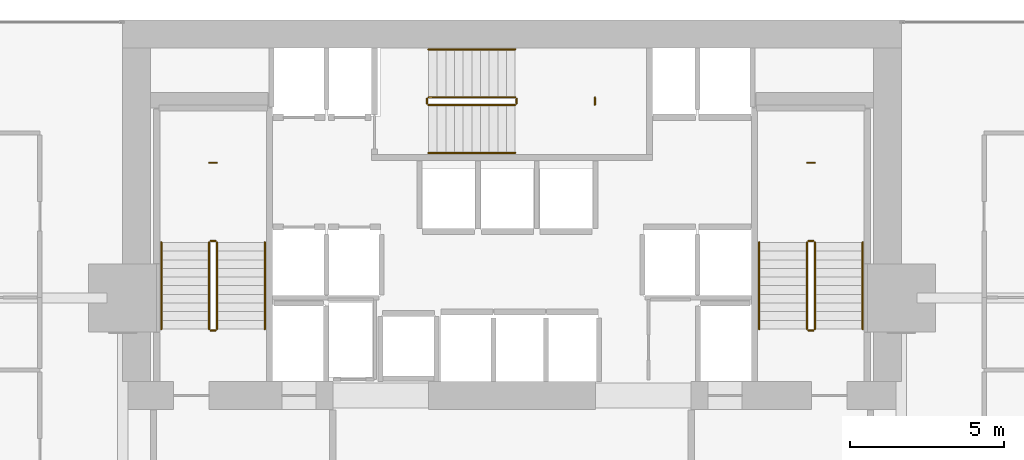
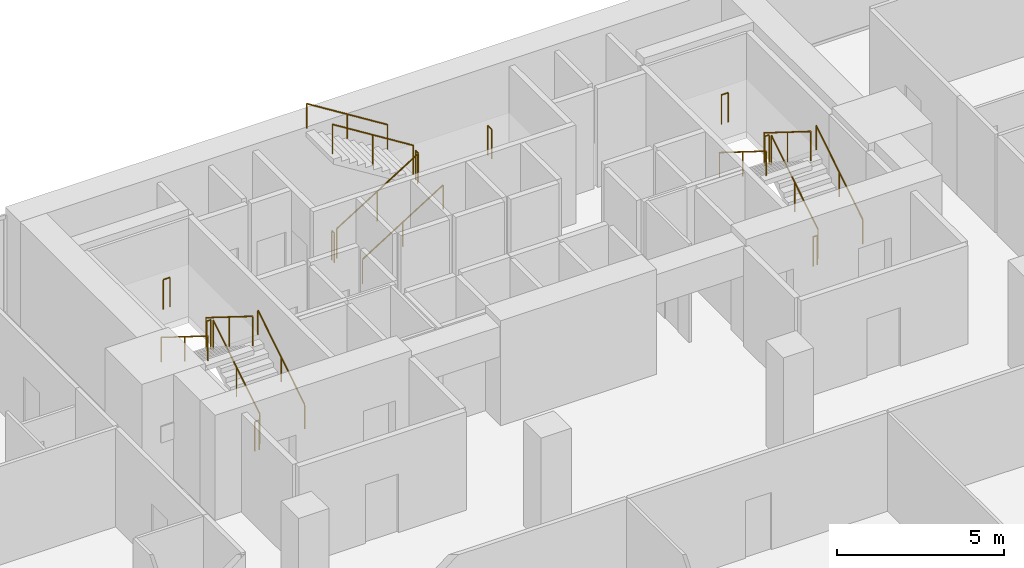
# One storey, part 40 of 40: 21 railings.
"""IFC4 building model written with IfcOpenShell, lengths in metres."""

from ifc_helpers import new_model, si_unit, direction, frame, origin, origin_2d, place, context, subcontext, project, spatial, circle, extrude, material, type_object, element, save


model = new_model("IFC4")

# Units and contexts
model_context = context("Model", 3, precision=1e-05, world=origin(), true_north=direction((0.0, 1.0)))
body_context = subcontext(model_context, "Body", "Model", "MODEL_VIEW")
ifc_project = project(units=[si_unit("LENGTHUNIT", "METRE"), si_unit("AREAUNIT", "SQUARE_METRE"), si_unit("VOLUMEUNIT", "CUBIC_METRE"), si_unit("PLANEANGLEUNIT", "RADIAN"), si_unit("MASSUNIT", "GRAM", prefix="KILO")], contexts=[model_context])

# Site, building, storey
site_placement = place(None, origin())
site = spatial("IfcSite", under=ifc_project, at=site_placement, CompositionType="ELEMENT")
building_placement = place(site_placement, origin())
building = spatial("IfcBuilding", under=site, at=building_placement, Name="Maruvema Waterfront Hotel and Observation Tower", CompositionType="ELEMENT")
storey_placement = place(building_placement, frame((0.0, 0.0, 34.64990234375)))
storey = spatial("IfcBuildingStorey", under=building, at=storey_placement, Name="L07", CompositionType="ELEMENT", Elevation=34.64990234375)

# Railings
ifc_material_1 = material(Name="Brushed stainless steel Grade 316", Category="steel")
railing_type_1 = type_object("IfcRailingType", Name="Ramp Continuous Wall Handrail 920 mm", PredefinedType="HANDRAIL", material=ifc_material_1)
railing_1_placement = place(storey_placement, frame((29.800048828125, 44.0, 0.175048828125)))
element("IfcRailing", 1, at=railing_1_placement, inside=storey, type_object=railing_type_1, Name="L07 ST-01 stair handrail 1", PredefinedType="HANDRAIL", context=body_context, shape_type="SweptSolid", body=[
    extrude(circle(Radius=0.02392578125, at=origin_2d()), frame((0.0, 0.0, 0.89599609375), z_axis=(0.0, 0.848002457836, 0.529992293815), x_axis=(-1.0, 0.0, 0.0)), (0.0, 0.0, 1.0), 3.302001953125),
    extrude(circle(Radius=0.02099609375, at=origin_2d()), origin(), (0.0, 0.0, 1.0), 0.871826171875),
    extrude(circle(Radius=0.02099609375, at=origin_2d()), frame((0.0, 1.39990234375, 0.875)), (0.0, 0.0, 1.0), 0.871826171875),
    extrude(circle(Radius=0.02099609375, at=origin_2d()), frame((0.0, 2.800048828125, 1.75)), (0.0, 0.0, 1.0), 0.871826171875),
])
railing_2_placement = place(storey_placement, frame((26.449951171875, 46.800048828125, 2.10009765625)))
element("IfcRailing", 2, at=railing_2_placement, inside=storey, type_object=railing_type_1, Name="L07 ST-01 stair handrail 2", PredefinedType="HANDRAIL", context=body_context, shape_type="SweptSolid", body=[
    extrude(circle(Radius=0.02392578125, at=origin_2d()), frame((0.0, 0.0, 0.89599609375), z_axis=(0.0, -0.848002457836, 0.529992293815), x_axis=(1.0, 0.0, 0.0)), (0.0, 0.0, 1.0), 3.302001953125),
    extrude(circle(Radius=0.02099609375, at=origin_2d()), origin(), (0.0, 0.0, 1.0), 0.871826171875),
    extrude(circle(Radius=0.02099609375, at=origin_2d()), frame((0.0, -1.39990234375, 0.875)), (0.0, 0.0, 1.0), 0.871826171875),
    extrude(circle(Radius=0.02099609375, at=origin_2d()), frame((0.0, -2.800048828125, 1.75)), (0.0, 0.0, 1.0), 0.871826171875),
])
railing_3_placement = place(storey_placement, frame((35.10009765625, 49.699951171875, 0.175048828125)))
element("IfcRailing", 3, at=railing_3_placement, inside=storey, type_object=railing_type_1, Name="L07 ST-02 stair handrail 1", PredefinedType="HANDRAIL", context=body_context, shape_type="SweptSolid", body=[
    extrude(circle(Radius=0.02392578125, at=origin_2d()), frame((0.0, 0.0, 0.89599609375), z_axis=(0.847981687118, 0.0, 0.530025526095), x_axis=(0.0, 1.0, 0.0)), (0.0, 0.0, 1.0), 3.3017578125),
    extrude(circle(Radius=0.02099609375, at=origin_2d()), origin(), (0.0, 0.0, 1.0), 0.871826171875),
    extrude(circle(Radius=0.02099609375, at=origin_2d()), frame((1.39990234375, 0.0, 0.875)), (0.0, 0.0, 1.0), 0.871826171875),
    extrude(circle(Radius=0.02099609375, at=origin_2d()), frame((2.7998046875, 0.0, 1.75)), (0.0, 0.0, 1.0), 0.871826171875),
])
railing_4_placement = place(storey_placement, frame((37.89990234375, 53.050048828125, 2.10009765625)))
element("IfcRailing", 4, at=railing_4_placement, inside=storey, type_object=railing_type_1, Name="L07 ST-02 stair handrail 2", PredefinedType="HANDRAIL", context=body_context, shape_type="SweptSolid", body=[
    extrude(circle(Radius=0.02392578125, at=origin_2d()), frame((0.0, 0.0, 0.89599609375), z_axis=(-0.847981687118, 0.0, 0.530025526095), x_axis=(0.0, -1.0, 0.0)), (0.0, 0.0, 1.0), 3.3017578125),
    extrude(circle(Radius=0.02099609375, at=origin_2d()), origin(), (0.0, 0.0, 1.0), 0.871826171875),
    extrude(circle(Radius=0.02099609375, at=origin_2d()), frame((-1.39990234375, 0.0, 0.875)), (0.0, 0.0, 1.0), 0.871826171875),
    extrude(circle(Radius=0.02099609375, at=origin_2d()), frame((-2.7998046875, 0.0, 1.75)), (0.0, 0.0, 1.0), 0.871826171875),
])
railing_5_placement = place(storey_placement, frame((49.14990234375, 44.0, 0.175048828125)))
element("IfcRailing", 5, at=railing_5_placement, inside=storey, type_object=railing_type_1, Name="L07 ST-03 stair handrail 1", PredefinedType="HANDRAIL", context=body_context, shape_type="SweptSolid", body=[
    extrude(circle(Radius=0.02392578125, at=origin_2d()), frame((0.0, 0.0, 0.89599609375), z_axis=(0.0, 0.848002457836, 0.529992293815), x_axis=(-1.0, 0.0, 0.0)), (0.0, 0.0, 1.0), 3.302001953125),
    extrude(circle(Radius=0.02099609375, at=origin_2d()), origin(), (0.0, 0.0, 1.0), 0.871826171875),
    extrude(circle(Radius=0.02099609375, at=origin_2d()), frame((0.0, 1.39990234375, 0.875)), (0.0, 0.0, 1.0), 0.871826171875),
    extrude(circle(Radius=0.02099609375, at=origin_2d()), frame((0.0, 2.800048828125, 1.75)), (0.0, 0.0, 1.0), 0.871826171875),
])
railing_6_placement = place(storey_placement, frame((45.800048828125, 46.800048828125, 2.10009765625)))
element("IfcRailing", 6, at=railing_6_placement, inside=storey, type_object=railing_type_1, Name="L07 ST-03 stair handrail 2", PredefinedType="HANDRAIL", context=body_context, shape_type="SweptSolid", body=[
    extrude(circle(Radius=0.02392578125, at=origin_2d()), frame((0.0, 0.0, 0.89599609375), z_axis=(0.0, -0.848002457836, 0.529992293815), x_axis=(1.0, 0.0, 0.0)), (0.0, 0.0, 1.0), 3.302001953125),
    extrude(circle(Radius=0.02099609375, at=origin_2d()), origin(), (0.0, 0.0, 1.0), 0.871826171875),
    extrude(circle(Radius=0.02099609375, at=origin_2d()), frame((0.0, -1.39990234375, 0.875)), (0.0, 0.0, 1.0), 0.871826171875),
    extrude(circle(Radius=0.02099609375, at=origin_2d()), frame((0.0, -2.800048828125, 1.75)), (0.0, 0.0, 1.0), 0.871826171875),
])
ifc_material_2 = material(Name="Brushed stainless steel Grade 316", Category="steel")
railing_type_2 = type_object("IfcRailingType", Name="Ramp and Terrace Guard Balustrade 1100 mm", PredefinedType="BALUSTRADE", material=ifc_material_2)
railing_7_placement = place(storey_placement, frame((28.25, 44.0, 0.175048828125)))
element("IfcRailing", 7, at=railing_7_placement, inside=storey, type_object=railing_type_2, Name="L07 ST-01 stair guard 1", PredefinedType="BALUSTRADE", context=body_context, shape_type="SweptSolid", body=[
    extrude(circle(Radius=0.02392578125, at=origin_2d()), frame((0.0, 0.0, 1.076171875), z_axis=(0.0, 0.848002457836, 0.529992293815), x_axis=(-1.0, 0.0, 0.0)), (0.0, 0.0, 1.0), 3.302001953125),
    extrude(circle(Radius=0.02099609375, at=origin_2d()), origin(), (0.0, 0.0, 1.0), 1.052001953125),
    extrude(circle(Radius=0.02099609375, at=origin_2d()), frame((0.0, 1.39990234375, 0.875)), (0.0, 0.0, 1.0), 1.052001953125),
    extrude(circle(Radius=0.02099609375, at=origin_2d()), frame((0.0, 2.800048828125, 1.75)), (0.0, 0.0, 1.0), 1.052001953125),
])
railing_8_placement = place(storey_placement, frame((28.199951171875, 46.85009765625, 1.925048828125)))
element("IfcRailing", 8, at=railing_8_placement, inside=storey, type_object=railing_type_2, Name="L07 ST-01 stair guard 2", PredefinedType="BALUSTRADE", context=body_context, shape_type="SweptSolid", body=[
    extrude(circle(Radius=0.02392578125, at=origin_2d()), frame((0.0, 0.0, 1.076171875), z_axis=(-1.0, 0.0, 0.0), x_axis=(0.0, -1.0, 0.0)), (0.0, 0.0, 1.0), 0.14990234375),
    extrude(circle(Radius=0.02099609375, at=origin_2d()), origin(), (0.0, 0.0, 1.0), 1.052001953125),
    extrude(circle(Radius=0.02099609375, at=origin_2d()), frame((-0.14990234375, 0.0, 0.0)), (0.0, 0.0, 1.0), 1.052001953125),
])
railing_9_placement = place(storey_placement, frame((28.0, 46.800048828125, 2.10009765625)))
element("IfcRailing", 9, at=railing_9_placement, inside=storey, type_object=railing_type_2, Name="L07 ST-01 stair guard 3", PredefinedType="BALUSTRADE", context=body_context, shape_type="SweptSolid", body=[
    extrude(circle(Radius=0.02392578125, at=origin_2d()), frame((0.0, 0.0, 1.076171875), z_axis=(0.0, -0.848002457836, 0.529992293815), x_axis=(1.0, 0.0, 0.0)), (0.0, 0.0, 1.0), 3.302001953125),
    extrude(circle(Radius=0.02099609375, at=origin_2d()), origin(), (0.0, 0.0, 1.0), 1.052001953125),
    extrude(circle(Radius=0.02099609375, at=origin_2d()), frame((0.0, -1.39990234375, 0.875)), (0.0, 0.0, 1.0), 1.052001953125),
    extrude(circle(Radius=0.02099609375, at=origin_2d()), frame((0.0, -2.800048828125, 1.75)), (0.0, 0.0, 1.0), 1.052001953125),
])
railing_10_placement = place(storey_placement, frame((28.199951171875, 43.949951171875, 0.0)))
element("IfcRailing", 10, at=railing_10_placement, inside=storey, type_object=railing_type_2, Name="L07 ST-01 stair guard 4", PredefinedType="BALUSTRADE", context=body_context, shape_type="SweptSolid", body=[
    extrude(circle(Radius=0.02392578125, at=origin_2d()), frame((0.0, 0.0, 1.076171875), z_axis=(-1.0, 0.0, 0.0), x_axis=(0.0, -1.0, 0.0)), (0.0, 0.0, 1.0), 0.14990234375),
    extrude(circle(Radius=0.02099609375, at=origin_2d()), origin(), (0.0, 0.0, 1.0), 1.052001953125),
    extrude(circle(Radius=0.02099609375, at=origin_2d()), frame((-0.14990234375, 0.0, 0.0)), (0.0, 0.0, 1.0), 1.052001953125),
])
railing_11_placement = place(storey_placement, frame((28.239990234375, 49.3798828125, 1.925048828125)))
element("IfcRailing", 11, at=railing_11_placement, inside=storey, type_object=railing_type_2, Name="L07 ST-01 Half-Landing Slot Guard", PredefinedType="BALUSTRADE", context=body_context, shape_type="SweptSolid", body=[
    extrude(circle(Radius=0.02392578125, at=origin_2d()), frame((0.0, 0.0, 1.076171875), z_axis=(-1.0, 0.0, 0.0), x_axis=(0.0, -1.0, 0.0)), (0.0, 0.0, 1.0), 0.22998046875),
    extrude(circle(Radius=0.02099609375, at=origin_2d()), origin(), (0.0, 0.0, 1.0), 1.052001953125),
    extrude(circle(Radius=0.02099609375, at=origin_2d()), frame((-0.22998046875, 0.0, 0.0)), (0.0, 0.0, 1.0), 1.052001953125),
])
railing_12_placement = place(storey_placement, frame((35.10009765625, 51.25, 0.175048828125)))
element("IfcRailing", 12, at=railing_12_placement, inside=storey, type_object=railing_type_2, Name="L07 ST-02 stair guard 1", PredefinedType="BALUSTRADE", context=body_context, shape_type="SweptSolid", body=[
    extrude(circle(Radius=0.02392578125, at=origin_2d()), frame((0.0, 0.0, 1.076171875), z_axis=(0.847981687118, 0.0, 0.530025526095), x_axis=(0.0, 1.0, 0.0)), (0.0, 0.0, 1.0), 3.3017578125),
    extrude(circle(Radius=0.02099609375, at=origin_2d()), origin(), (0.0, 0.0, 1.0), 1.052001953125),
    extrude(circle(Radius=0.02099609375, at=origin_2d()), frame((1.39990234375, 0.0, 0.875)), (0.0, 0.0, 1.0), 1.052001953125),
    extrude(circle(Radius=0.02099609375, at=origin_2d()), frame((2.7998046875, 0.0, 1.75)), (0.0, 0.0, 1.0), 1.052001953125),
])
railing_13_placement = place(storey_placement, frame((37.949951171875, 51.300048828125, 1.925048828125)))
element("IfcRailing", 13, at=railing_13_placement, inside=storey, type_object=railing_type_2, Name="L07 ST-02 stair guard 2", PredefinedType="BALUSTRADE", context=body_context, shape_type="SweptSolid", body=[
    extrude(circle(Radius=0.02392578125, at=origin_2d()), frame((0.0, 0.0, 1.076171875), z_axis=(0.0, 1.0, 0.0), x_axis=(-1.0, 0.0, 0.0)), (0.0, 0.0, 1.0), 0.14990234375),
    extrude(circle(Radius=0.02099609375, at=origin_2d()), origin(), (0.0, 0.0, 1.0), 1.052001953125),
    extrude(circle(Radius=0.02099609375, at=origin_2d()), frame((0.0, 0.14990234375, 0.0)), (0.0, 0.0, 1.0), 1.052001953125),
])
railing_14_placement = place(storey_placement, frame((37.89990234375, 51.5, 2.10009765625)))
element("IfcRailing", 14, at=railing_14_placement, inside=storey, type_object=railing_type_2, Name="L07 ST-02 stair guard 3", PredefinedType="BALUSTRADE", context=body_context, shape_type="SweptSolid", body=[
    extrude(circle(Radius=0.02392578125, at=origin_2d()), frame((0.0, 0.0, 1.076171875), z_axis=(-0.847981687118, 0.0, 0.530025526095), x_axis=(0.0, -1.0, 0.0)), (0.0, 0.0, 1.0), 3.3017578125),
    extrude(circle(Radius=0.02099609375, at=origin_2d()), origin(), (0.0, 0.0, 1.0), 1.052001953125),
    extrude(circle(Radius=0.02099609375, at=origin_2d()), frame((-1.39990234375, 0.0, 0.875)), (0.0, 0.0, 1.0), 1.052001953125),
    extrude(circle(Radius=0.02099609375, at=origin_2d()), frame((-2.7998046875, 0.0, 1.75)), (0.0, 0.0, 1.0), 1.052001953125),
])
railing_15_placement = place(storey_placement, frame((35.050048828125, 51.300048828125, 0.0)))
element("IfcRailing", 15, at=railing_15_placement, inside=storey, type_object=railing_type_2, Name="L07 ST-02 stair guard 4", PredefinedType="BALUSTRADE", context=body_context, shape_type="SweptSolid", body=[
    extrude(circle(Radius=0.02392578125, at=origin_2d()), frame((0.0, 0.0, 1.076171875), z_axis=(0.0, 1.0, 0.0), x_axis=(-1.0, 0.0, 0.0)), (0.0, 0.0, 1.0), 0.14990234375),
    extrude(circle(Radius=0.02099609375, at=origin_2d()), origin(), (0.0, 0.0, 1.0), 1.052001953125),
    extrude(circle(Radius=0.02099609375, at=origin_2d()), frame((0.0, 0.14990234375, 0.0)), (0.0, 0.0, 1.0), 1.052001953125),
])
railing_16_placement = place(storey_placement, frame((40.47998046875, 51.260009765625, 1.925048828125)))
element("IfcRailing", 16, at=railing_16_placement, inside=storey, type_object=railing_type_2, Name="L07 ST-02 Half-Landing Slot Guard", PredefinedType="BALUSTRADE", context=body_context, shape_type="SweptSolid", body=[
    extrude(circle(Radius=0.02392578125, at=origin_2d()), frame((0.0, 0.0, 1.076171875), z_axis=(0.0, 1.0, 0.0), x_axis=(-1.0, 0.0, 0.0)), (0.0, 0.0, 1.0), 0.22998046875),
    extrude(circle(Radius=0.02099609375, at=origin_2d()), origin(), (0.0, 0.0, 1.0), 1.052001953125),
    extrude(circle(Radius=0.02099609375, at=origin_2d()), frame((0.0, 0.22998046875, 0.0)), (0.0, 0.0, 1.0), 1.052001953125),
])
railing_17_placement = place(storey_placement, frame((47.60009765625, 44.0, 0.175048828125)))
element("IfcRailing", 17, at=railing_17_placement, inside=storey, type_object=railing_type_2, Name="L07 ST-03 stair guard 1", PredefinedType="BALUSTRADE", context=body_context, shape_type="SweptSolid", body=[
    extrude(circle(Radius=0.02392578125, at=origin_2d()), frame((0.0, 0.0, 1.076171875), z_axis=(0.0, 0.848002457836, 0.529992293815), x_axis=(-1.0, 0.0, 0.0)), (0.0, 0.0, 1.0), 3.302001953125),
    extrude(circle(Radius=0.02099609375, at=origin_2d()), origin(), (0.0, 0.0, 1.0), 1.052001953125),
    extrude(circle(Radius=0.02099609375, at=origin_2d()), frame((0.0, 1.39990234375, 0.875)), (0.0, 0.0, 1.0), 1.052001953125),
    extrude(circle(Radius=0.02099609375, at=origin_2d()), frame((0.0, 2.800048828125, 1.75)), (0.0, 0.0, 1.0), 1.052001953125),
])
railing_18_placement = place(storey_placement, frame((47.550048828125, 46.85009765625, 1.925048828125)))
element("IfcRailing", 18, at=railing_18_placement, inside=storey, type_object=railing_type_2, Name="L07 ST-03 stair guard 2", PredefinedType="BALUSTRADE", context=body_context, shape_type="SweptSolid", body=[
    extrude(circle(Radius=0.02392578125, at=origin_2d()), frame((0.0, 0.0, 1.076171875), z_axis=(-1.0, 0.0, 0.0), x_axis=(0.0, -1.0, 0.0)), (0.0, 0.0, 1.0), 0.150146484375),
    extrude(circle(Radius=0.02099609375, at=origin_2d()), origin(), (0.0, 0.0, 1.0), 1.052001953125),
    extrude(circle(Radius=0.02099609375, at=origin_2d()), frame((-0.150146484375, 0.0, 0.0)), (0.0, 0.0, 1.0), 1.052001953125),
])
railing_19_placement = place(storey_placement, frame((47.35009765625, 46.800048828125, 2.10009765625)))
element("IfcRailing", 19, at=railing_19_placement, inside=storey, type_object=railing_type_2, Name="L07 ST-03 stair guard 3", PredefinedType="BALUSTRADE", context=body_context, shape_type="SweptSolid", body=[
    extrude(circle(Radius=0.02392578125, at=origin_2d()), frame((0.0, 0.0, 1.076171875), z_axis=(0.0, -0.848002457836, 0.529992293815), x_axis=(1.0, 0.0, 0.0)), (0.0, 0.0, 1.0), 3.302001953125),
    extrude(circle(Radius=0.02099609375, at=origin_2d()), origin(), (0.0, 0.0, 1.0), 1.052001953125),
    extrude(circle(Radius=0.02099609375, at=origin_2d()), frame((0.0, -1.39990234375, 0.875)), (0.0, 0.0, 1.0), 1.052001953125),
    extrude(circle(Radius=0.02099609375, at=origin_2d()), frame((0.0, -2.800048828125, 1.75)), (0.0, 0.0, 1.0), 1.052001953125),
])
railing_20_placement = place(storey_placement, frame((47.550048828125, 43.949951171875, 0.0)))
element("IfcRailing", 20, at=railing_20_placement, inside=storey, type_object=railing_type_2, Name="L07 ST-03 stair guard 4", PredefinedType="BALUSTRADE", context=body_context, shape_type="SweptSolid", body=[
    extrude(circle(Radius=0.02392578125, at=origin_2d()), frame((0.0, 0.0, 1.076171875), z_axis=(-1.0, 0.0, 0.0), x_axis=(0.0, -1.0, 0.0)), (0.0, 0.0, 1.0), 0.150146484375),
    extrude(circle(Radius=0.02099609375, at=origin_2d()), origin(), (0.0, 0.0, 1.0), 1.052001953125),
    extrude(circle(Radius=0.02099609375, at=origin_2d()), frame((-0.150146484375, 0.0, 0.0)), (0.0, 0.0, 1.0), 1.052001953125),
])
railing_21_placement = place(storey_placement, frame((47.590087890625, 49.3798828125, 1.925048828125)))
element("IfcRailing", 21, at=railing_21_placement, inside=storey, type_object=railing_type_2, Name="L07 ST-03 Half-Landing Slot Guard", PredefinedType="BALUSTRADE", context=body_context, shape_type="SweptSolid", body=[
    extrude(circle(Radius=0.02392578125, at=origin_2d()), frame((0.0, 0.0, 1.076171875), z_axis=(-1.0, 0.0, 0.0), x_axis=(0.0, -1.0, 0.0)), (0.0, 0.0, 1.0), 0.22998046875),
    extrude(circle(Radius=0.02099609375, at=origin_2d()), origin(), (0.0, 0.0, 1.0), 1.052001953125),
    extrude(circle(Radius=0.02099609375, at=origin_2d()), frame((-0.22998046875, 0.0, 0.0)), (0.0, 0.0, 1.0), 1.052001953125),
])

save(model, "model.ifc")
